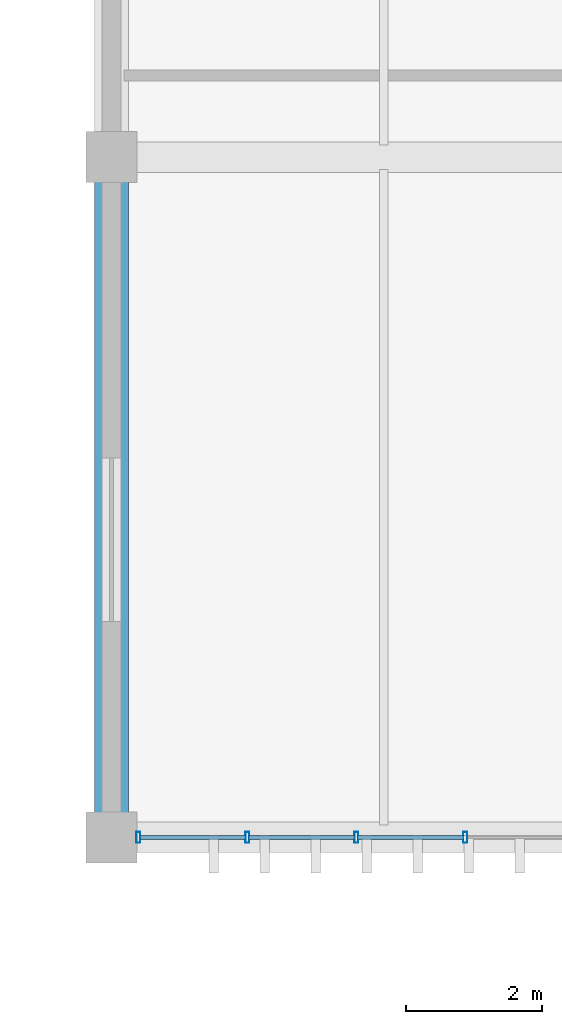
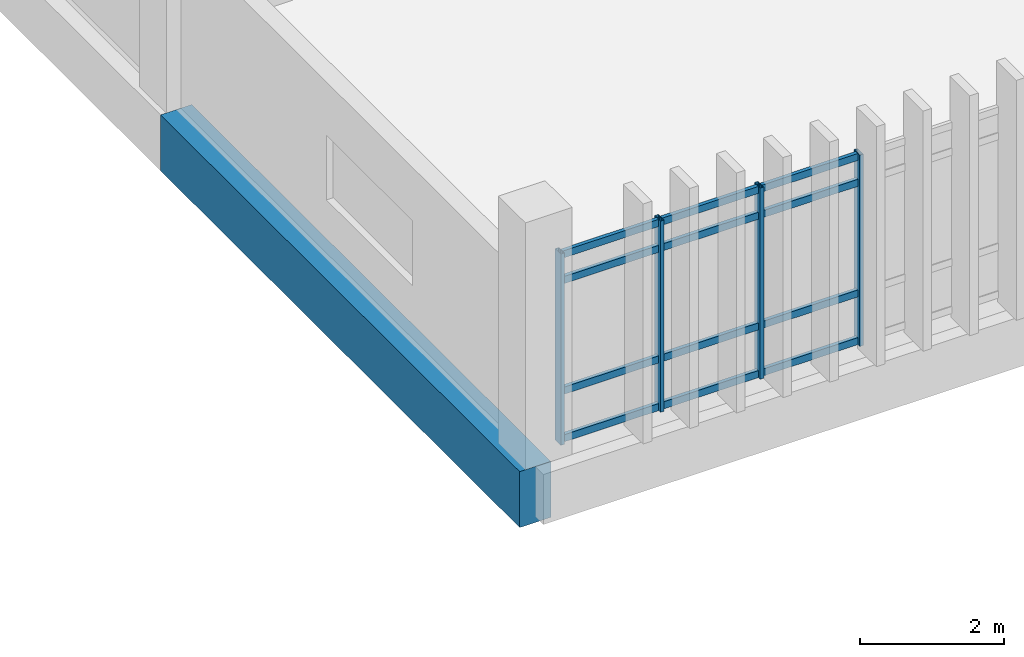
# One storey, part 22 of 111: 16 members, 1 beam, 1 element without a shape of its own.
"""IFC4 building model written with IfcOpenShell, lengths in metres."""

import ifcopenshell
import ifcopenshell.guid

model = None  # the IFC model being written
_history = None  # IfcOwnerHistory: only IFC2X3 demands one
_inside = {}  # id of a spatial element -> (the spatial element, [elements in it])
_under = {}  # id of a project, library or spatial element -> (it, [spatial elements below it])
_declared = {}  # id of a project -> (the project, [libraries it declares])
_typed = {}  # id of a type object -> (the type object, [elements of that type])
_made_of = {}  # id of a material, layer set ... -> (it, [elements and type objects made of it])


def new_model(schema):
    """Start an empty IFC model of exactly this schema.

    Asked for "IFC4X3", IfcOpenShell would pick the latest addendum, in which some entities
    have other attributes; the version numbers below select the first issue.
    IFC2X3 requires an IfcOwnerHistory on every rooted entity: one is made here for all.
    """
    global model, _history
    if schema == "IFC4X3":
        model = ifcopenshell.file(schema_version=(4, 3, 0, 0))
    else:
        model = ifcopenshell.file(schema=schema)
    _inside.clear()
    _under.clear()
    _declared.clear()
    _typed.clear()
    _made_of.clear()
    _history = None
    if model.schema == "IFC2X3":
        org = make("IfcOrganization", Name="unknown")
        user = make(
            "IfcPersonAndOrganization",
            ThePerson=make("IfcPerson", FamilyName="unknown"),
            TheOrganization=org,
        )
        app = make(
            "IfcApplication",
            ApplicationDeveloper=org,
            Version="unknown",
            ApplicationFullName="unknown",
            ApplicationIdentifier="unknown",
        )
        _history = make(
            "IfcOwnerHistory",
            OwningUser=user,
            OwningApplication=app,
            ChangeAction="ADDED",
            CreationDate=0,
        )
    return model


def make(cls, **values):
    """One entity of the class cls with the attributes given. An attribute that is None is left unset."""
    return model.create_entity(
        cls, **{name: value for name, value in values.items() if value is not None}
    )


def rooted(cls, **values):
    """An entity with a GlobalId (a new one), such as an element, a storey or a relation."""
    return make(cls, GlobalId=ifcopenshell.guid.new(), OwnerHistory=_history, **values)


def si_unit(unit_type, name, prefix=None):
    """IfcSIUnit, for example si_unit("LENGTHUNIT", "METRE", prefix="MILLI")."""
    return make("IfcSIUnit", UnitType=unit_type, Prefix=prefix, Name=name)


def assignment(units):
    """IfcUnitAssignment: the units of a project."""
    return None if units is None else make("IfcUnitAssignment", Units=units)


def point(xyz):
    """IfcCartesianPoint."""
    return None if xyz is None else make("IfcCartesianPoint", Coordinates=xyz)


def direction(xyz):
    """IfcDirection."""
    return None if xyz is None else make("IfcDirection", DirectionRatios=xyz)


def frame(location, z_axis=None, x_axis=None):
    """IfcAxis2Placement3D, a coordinate frame: its origin and axes. An axis left out is left unset."""
    return make(
        "IfcAxis2Placement3D",
        Location=point(location),
        Axis=direction(z_axis),
        RefDirection=direction(x_axis),
    )


def frame_2d(location, x_axis=None):
    """IfcAxis2Placement2D, a coordinate frame in the plane: its origin and x axis."""
    return make(
        "IfcAxis2Placement2D", Location=point(location), RefDirection=direction(x_axis)
    )


def origin():
    """The frame at (0, 0, 0) with its axes left unset."""
    return frame((0.0, 0.0, 0.0))


def origin_2d():
    """The frame at (0, 0) in the plane with its x axis left unset."""
    return frame_2d((0.0, 0.0))


def place(relative_to, where):
    """IfcLocalPlacement: puts the frame where relative to a parent placement (None: the world)."""
    return make(
        "IfcLocalPlacement", PlacementRelTo=relative_to, RelativePlacement=where
    )


def context(
    kind, dimensions, precision=None, world=None, true_north=None, identifier=None
):
    """IfcGeometricRepresentationContext, for example the 3D "Model" context."""
    return make(
        "IfcGeometricRepresentationContext",
        ContextIdentifier=identifier,
        ContextType=kind,
        CoordinateSpaceDimension=dimensions,
        Precision=precision,
        WorldCoordinateSystem=world,
        TrueNorth=true_north,
    )


def subcontext(parent, identifier, kind, view, scale=None):
    """IfcGeometricRepresentationSubContext, for example "Body" below "Model"."""
    return make(
        "IfcGeometricRepresentationSubContext",
        ContextIdentifier=identifier,
        ContextType=kind,
        ParentContext=parent,
        TargetScale=scale,
        TargetView=view,
    )


def project(units=None, contexts=None):
    """IfcProject with its units and contexts."""
    return rooted(
        "IfcProject",
        Name="project",
        RepresentationContexts=contexts,
        UnitsInContext=assignment(units),
    )


def spatial(cls, under=None, at=None, **own):
    """A site, building, storey or space (cls), placed at a placement, below another one or the project."""
    s = rooted(cls, ObjectPlacement=at, **own)
    if under is not None:
        _under.setdefault(under.id(), (under, []))[1].append(s)
    return s


def profile(cls, at=None, kind="AREA", **sizes):
    """A parametric profile (cls). Its sizes go by their IFC names, for example OverallWidth=200.0."""
    return make(cls, ProfileType=kind, Position=at, **sizes)


def rectangle(**sizes):
    """IfcRectangleProfileDef."""
    return profile("IfcRectangleProfileDef", **sizes)


def hollow_rectangle(**sizes):
    """IfcRectangleHollowProfileDef."""
    return profile("IfcRectangleHollowProfileDef", **sizes)


def extrude(swept, where, along, depth):
    """IfcExtrudedAreaSolid: the profile swept, set in the frame where, extruded along a direction by depth."""
    return make(
        "IfcExtrudedAreaSolid",
        SweptArea=swept,
        Position=where,
        ExtrudedDirection=direction(along),
        Depth=depth,
    )


def shape(context_of_items, identifier, shape_type, items):
    """IfcShapeRepresentation: the items that make up one representation, for example the "Body"."""
    return make(
        "IfcShapeRepresentation",
        ContextOfItems=context_of_items,
        RepresentationIdentifier=identifier,
        RepresentationType=shape_type,
        Items=items,
    )


def material(Name=None, Category=None):
    """IfcMaterial."""
    return make("IfcMaterial", Name=Name, Category=Category)


def layer(
    of_material, thickness, ventilated=None, Name=None, Category=None, Priority=None
):
    """IfcMaterialLayer: one layer of a wall or slab, of a material (None: an air gap)."""
    return make(
        "IfcMaterialLayer",
        Material=of_material,
        LayerThickness=thickness,
        IsVentilated=ventilated,
        Name=Name,
        Category=Category,
        Priority=Priority,
    )


def layer_set(layers, Name=None):
    """IfcMaterialLayerSet."""
    return make("IfcMaterialLayerSet", MaterialLayers=layers, LayerSetName=Name)


def material_profile(
    of_material, cross_section, Name=None, Category=None, Priority=None
):
    """IfcMaterialProfile: a cross section and its material."""
    return make(
        "IfcMaterialProfile",
        Name=Name,
        Material=of_material,
        Profile=cross_section,
        Priority=Priority,
        Category=Category,
    )


def profile_set(profiles, Name=None, composite=None):
    """IfcMaterialProfileSet."""
    return make(
        "IfcMaterialProfileSet",
        Name=Name,
        MaterialProfiles=profiles,
        CompositeProfile=composite,
    )


def made_of(thing, what):
    """Note that an element or type object is made of a material, layer set ...; save() writes the relation."""
    if what is not None:
        _made_of.setdefault(what.id(), (what, []))[1].append(thing)
    return thing


def type_object(cls, material=None, **own):
    """A type object (cls), such as IfcWallType, which elements share."""
    return made_of(rooted(cls, **own), material)


def element(
    cls,
    number,
    at=None,
    inside=None,
    cuts=None,
    type_object=None,
    material=None,
    context=None,
    identifier="Body",
    shape_type=None,
    held_by="IfcProductDefinitionShape",
    body=None,
    shapes=None,
    **own,
):
    """One element of the class cls, such as IfcWall. Its Tag is "e" and its number.

    at: its placement. inside: the storey or other place that contains it. cuts: it is an
    opening in that element (IfcRelVoidsElement). A single representation is given by context,
    identifier, shape_type and body (its items); several are given by shapes. held_by: the class
    of the entity that holds the representations. save() writes the other relations.
    """
    e = rooted(cls, Tag="e%d" % number, ObjectPlacement=at, **own)
    if body is not None:
        shapes = [shape(context, identifier, shape_type, body)]
    if shapes is not None:
        e.Representation = make(held_by, Representations=shapes)
    if inside is not None:
        _inside.setdefault(inside.id(), (inside, []))[1].append(e)
    if cuts is not None:
        rooted(
            "IfcRelVoidsElement", RelatingBuildingElement=cuts, RelatedOpeningElement=e
        )
    if type_object is not None:
        _typed.setdefault(type_object.id(), (type_object, []))[1].append(e)
    return made_of(e, material)


def aggregate(whole, parts):
    """IfcRelAggregates: a whole, such as a stair, and the parts it consists of."""
    return rooted("IfcRelAggregates", RelatingObject=whole, RelatedObjects=parts)


def save(model, path):
    """Write the relations noted so far, then the file.

    IfcRelAggregates (storeys below a building ...), IfcRelContainedInSpatialStructure (elements
    in a storey), IfcRelDefinesByType, IfcRelAssociatesMaterial and IfcRelDeclares: one each for
    every whole, place, type object, material and project.
    """
    for whole, parts in _under.values():
        aggregate(whole, parts)
    for where, things in _inside.values():
        rooted(
            "IfcRelContainedInSpatialStructure",
            RelatedElements=things,
            RelatingStructure=where,
        )
    for kind, things in _typed.values():
        rooted("IfcRelDefinesByType", RelatedObjects=things, RelatingType=kind)
    for what, things in _made_of.values():
        rooted("IfcRelAssociatesMaterial", RelatedObjects=things, RelatingMaterial=what)
    for by, libraries in _declared.values():
        rooted("IfcRelDeclares", RelatingContext=by, RelatedDefinitions=libraries)
    model.write(path)


model = new_model("IFC4")

# Units and contexts
model_context = context("Model", 3, precision=1e-05, world=origin(), true_north=direction((0.0, 1.0)))
body_context = subcontext(model_context, "Body", "Model", "MODEL_VIEW")
ifc_project = project(units=[si_unit("LENGTHUNIT", "METRE"), si_unit("AREAUNIT", "SQUARE_METRE"), si_unit("VOLUMEUNIT", "CUBIC_METRE"), si_unit("PLANEANGLEUNIT", "RADIAN"), si_unit("MASSUNIT", "GRAM", prefix="KILO")], contexts=[model_context])

# Site, building, storey
site_placement = place(None, origin())
site = spatial("IfcSite", under=ifc_project, at=site_placement, CompositionType="ELEMENT")
building_placement = place(site_placement, origin())
building = spatial("IfcBuilding", under=site, at=building_placement, Name="Mersad Railyard Sports Hall", CompositionType="ELEMENT")
storey_placement = place(building_placement, frame((0.0, 0.0, 9.0)))
storey = spatial("IfcBuildingStorey", under=building, at=storey_placement, Name="L02", CompositionType="ELEMENT", Elevation=9.0)

# Curtain wall, members
ifc_material_1 = material(Name="Aluminium 6063-T6", Category="aluminium")
ifc_layer = layer(ifc_material_1, 0.159912109375)
ifc_layer_set = layer_set([ifc_layer], Name="Aluminium 6063-T6")
curtain_wall_type = type_object("IfcCurtainWallType", Name="ARC-CW-CW54", PredefinedType="USERDEFINED", material=ifc_layer_set)
curtain_wall_placement = place(storey_placement, origin())
curtain_wall = element("IfcCurtainWall", 1, at=curtain_wall_placement, inside=storey, type_object=curtain_wall_type, Name="Curtain wall CW54-0143", ObjectType="CURTAIN WALL", PredefinedType="USERDEFINED")
ifc_material_profile_1 = material_profile(ifc_material_1, hollow_rectangle(XDim=0.06005859375, YDim=0.159912109375, WallThickness=0.00390625, at=origin_2d()), Name="AL MULLION 60x160x4")
ifc_profile_set_1 = profile_set([ifc_material_profile_1], Name="Aluminium 6063-T6")
member_type_1 = type_object("IfcMemberType", Name="ARC-CW-MUL01", PredefinedType="MULLION", material=ifc_profile_set_1)
member_1_placement = place(storey_placement, frame((48.19921875, 85.0, -0.02001953125), z_axis=(0.0, 0.0, 1.0), x_axis=(1.0, 0.0, 0.0)))
member_1 = element("IfcMember", 2, at=member_1_placement, type_object=member_type_1, Name="CW54 Mullion 5", PredefinedType="MULLION", context=body_context, shape_type="SweptSolid", body=[
    extrude(hollow_rectangle(XDim=0.06005859375, YDim=0.159912109375, WallThickness=0.00390625, at=origin_2d()), origin(), (0.0, 0.0, 1.0), 3.25),
])
member_2_placement = place(storey_placement, frame((46.597900390625, 85.0, -0.02001953125), z_axis=(0.0, 0.0, 1.0), x_axis=(1.0, 0.0, 0.0)))
member_2 = element("IfcMember", 3, at=member_2_placement, type_object=member_type_1, Name="CW54 Mullion 6", PredefinedType="MULLION", context=body_context, shape_type="SweptSolid", body=[
    extrude(hollow_rectangle(XDim=0.06005859375, YDim=0.159912109375, WallThickness=0.00390625, at=origin_2d()), origin(), (0.0, 0.0, 1.0), 3.25),
])
member_3_placement = place(storey_placement, frame((44.996337890625, 85.0, -0.02001953125), z_axis=(0.0, 0.0, 1.0), x_axis=(1.0, 0.0, 0.0)))
member_3 = element("IfcMember", 4, at=member_3_placement, type_object=member_type_1, Name="CW54 Mullion 7", PredefinedType="MULLION", context=body_context, shape_type="SweptSolid", body=[
    extrude(hollow_rectangle(XDim=0.06005859375, YDim=0.159912109375, WallThickness=0.00390625, at=origin_2d()), origin(), (0.0, 0.0, 1.0), 3.25),
])
member_4_placement = place(storey_placement, frame((43.39501953125, 85.0, -0.02001953125), z_axis=(0.0, 0.0, 1.0), x_axis=(1.0, 0.0, 0.0)))
member_4 = element("IfcMember", 5, at=member_4_placement, type_object=member_type_1, Name="CW54 Mullion 8", PredefinedType="MULLION", context=body_context, shape_type="SweptSolid", body=[
    extrude(hollow_rectangle(XDim=0.06005859375, YDim=0.159912109375, WallThickness=0.00390625, at=origin_2d()), origin(), (0.0, 0.0, 1.0), 3.25),
])
ifc_material_profile_2 = material_profile(ifc_material_1, hollow_rectangle(XDim=0.06005859375, YDim=0.1201171875, WallThickness=0.00390625, at=origin_2d()), Name="AL TRANSOM 60x120x4")
ifc_profile_set_2 = profile_set([ifc_material_profile_2], Name="Aluminium 6063-T6")
member_type_2 = type_object("IfcMemberType", Name="ARC-CW-TRN01", PredefinedType="USERDEFINED", material=ifc_profile_set_2)
member_5_placement = place(storey_placement, frame((48.17919921875, 85.0, 0.0400390625), z_axis=(-1.0, 0.0, 0.0), x_axis=(0.0, -1.0, 0.0)))
member_5 = element("IfcMember", 6, at=member_5_placement, type_object=member_type_2, Name="CW54 Transom 1-5", ObjectType="TRANSOM", PredefinedType="USERDEFINED", context=body_context, shape_type="SweptSolid", body=[
    extrude(hollow_rectangle(XDim=0.06005859375, YDim=0.1201171875, WallThickness=0.00390625, at=origin_2d()), origin(), (0.0, 0.0, 1.0), 1.561279296875),
])
member_6_placement = place(storey_placement, frame((46.577880859375, 85.0, 0.0400390625), z_axis=(-1.0, 0.0, 0.0), x_axis=(0.0, -1.0, 0.0)))
member_6 = element("IfcMember", 7, at=member_6_placement, type_object=member_type_2, Name="CW54 Transom 1-6", ObjectType="TRANSOM", PredefinedType="USERDEFINED", context=body_context, shape_type="SweptSolid", body=[
    extrude(hollow_rectangle(XDim=0.06005859375, YDim=0.1201171875, WallThickness=0.00390625, at=origin_2d()), origin(), (0.0, 0.0, 1.0), 1.5615234375),
])
member_7_placement = place(storey_placement, frame((44.976318359375, 85.0, 0.0400390625), z_axis=(-1.0, 0.0, 0.0), x_axis=(0.0, -1.0, 0.0)))
member_7 = element("IfcMember", 8, at=member_7_placement, type_object=member_type_2, Name="CW54 Transom 1-7", ObjectType="TRANSOM", PredefinedType="USERDEFINED", context=body_context, shape_type="SweptSolid", body=[
    extrude(hollow_rectangle(XDim=0.06005859375, YDim=0.1201171875, WallThickness=0.00390625, at=origin_2d()), origin(), (0.0, 0.0, 1.0), 1.561279296875),
])
member_8_placement = place(storey_placement, frame((48.17919921875, 85.0, 0.85009765625), z_axis=(-1.0, 0.0, 0.0), x_axis=(0.0, -1.0, 0.0)))
member_8 = element("IfcMember", 9, at=member_8_placement, type_object=member_type_2, Name="CW54 Transom 2-5", ObjectType="TRANSOM", PredefinedType="USERDEFINED", context=body_context, shape_type="SweptSolid", body=[
    extrude(hollow_rectangle(XDim=0.06005859375, YDim=0.1201171875, WallThickness=0.00390625, at=origin_2d()), origin(), (0.0, 0.0, 1.0), 1.561279296875),
])
member_9_placement = place(storey_placement, frame((46.577880859375, 85.0, 0.85009765625), z_axis=(-1.0, 0.0, 0.0), x_axis=(0.0, -1.0, 0.0)))
member_9 = element("IfcMember", 10, at=member_9_placement, type_object=member_type_2, Name="CW54 Transom 2-6", ObjectType="TRANSOM", PredefinedType="USERDEFINED", context=body_context, shape_type="SweptSolid", body=[
    extrude(hollow_rectangle(XDim=0.06005859375, YDim=0.1201171875, WallThickness=0.00390625, at=origin_2d()), origin(), (0.0, 0.0, 1.0), 1.5615234375),
])
member_10_placement = place(storey_placement, frame((44.976318359375, 85.0, 0.85009765625), z_axis=(-1.0, 0.0, 0.0), x_axis=(0.0, -1.0, 0.0)))
member_10 = element("IfcMember", 11, at=member_10_placement, type_object=member_type_2, Name="CW54 Transom 2-7", ObjectType="TRANSOM", PredefinedType="USERDEFINED", context=body_context, shape_type="SweptSolid", body=[
    extrude(hollow_rectangle(XDim=0.06005859375, YDim=0.1201171875, WallThickness=0.00390625, at=origin_2d()), origin(), (0.0, 0.0, 1.0), 1.561279296875),
])
member_11_placement = place(storey_placement, frame((48.17919921875, 85.0, 2.72998046875), z_axis=(-1.0, 0.0, 0.0), x_axis=(0.0, -1.0, 0.0)))
member_11 = element("IfcMember", 12, at=member_11_placement, type_object=member_type_2, Name="CW54 Transom 3-5", ObjectType="TRANSOM", PredefinedType="USERDEFINED", context=body_context, shape_type="SweptSolid", body=[
    extrude(hollow_rectangle(XDim=0.06005859375, YDim=0.1201171875, WallThickness=0.00390625, at=origin_2d()), origin(), (0.0, 0.0, 1.0), 1.561279296875),
])
member_12_placement = place(storey_placement, frame((46.577880859375, 85.0, 2.72998046875), z_axis=(-1.0, 0.0, 0.0), x_axis=(0.0, -1.0, 0.0)))
member_12 = element("IfcMember", 13, at=member_12_placement, type_object=member_type_2, Name="CW54 Transom 3-6", ObjectType="TRANSOM", PredefinedType="USERDEFINED", context=body_context, shape_type="SweptSolid", body=[
    extrude(hollow_rectangle(XDim=0.06005859375, YDim=0.1201171875, WallThickness=0.00390625, at=origin_2d()), origin(), (0.0, 0.0, 1.0), 1.5615234375),
])
member_13_placement = place(storey_placement, frame((44.976318359375, 85.0, 2.72998046875), z_axis=(-1.0, 0.0, 0.0), x_axis=(0.0, -1.0, 0.0)))
member_13 = element("IfcMember", 14, at=member_13_placement, type_object=member_type_2, Name="CW54 Transom 3-7", ObjectType="TRANSOM", PredefinedType="USERDEFINED", context=body_context, shape_type="SweptSolid", body=[
    extrude(hollow_rectangle(XDim=0.06005859375, YDim=0.1201171875, WallThickness=0.00390625, at=origin_2d()), origin(), (0.0, 0.0, 1.0), 1.561279296875),
])
member_14_placement = place(storey_placement, frame((48.17919921875, 85.0, 3.169921875), z_axis=(-1.0, 0.0, 0.0), x_axis=(0.0, -1.0, 0.0)))
member_14 = element("IfcMember", 15, at=member_14_placement, type_object=member_type_2, Name="CW54 Transom 4-5", ObjectType="TRANSOM", PredefinedType="USERDEFINED", context=body_context, shape_type="SweptSolid", body=[
    extrude(hollow_rectangle(XDim=0.06005859375, YDim=0.1201171875, WallThickness=0.00390625, at=origin_2d()), origin(), (0.0, 0.0, 1.0), 1.561279296875),
])
member_15_placement = place(storey_placement, frame((46.577880859375, 85.0, 3.169921875), z_axis=(-1.0, 0.0, 0.0), x_axis=(0.0, -1.0, 0.0)))
member_15 = element("IfcMember", 16, at=member_15_placement, type_object=member_type_2, Name="CW54 Transom 4-6", ObjectType="TRANSOM", PredefinedType="USERDEFINED", context=body_context, shape_type="SweptSolid", body=[
    extrude(hollow_rectangle(XDim=0.06005859375, YDim=0.1201171875, WallThickness=0.00390625, at=origin_2d()), origin(), (0.0, 0.0, 1.0), 1.5615234375),
])
member_16_placement = place(storey_placement, frame((44.976318359375, 85.0, 3.169921875), z_axis=(-1.0, 0.0, 0.0), x_axis=(0.0, -1.0, 0.0)))
member_16 = element("IfcMember", 17, at=member_16_placement, type_object=member_type_2, Name="CW54 Transom 4-7", ObjectType="TRANSOM", PredefinedType="USERDEFINED", context=body_context, shape_type="SweptSolid", body=[
    extrude(hollow_rectangle(XDim=0.06005859375, YDim=0.1201171875, WallThickness=0.00390625, at=origin_2d()), origin(), (0.0, 0.0, 1.0), 1.561279296875),
])
aggregate(curtain_wall, [member_1, member_2, member_3, member_4, member_5, member_6, member_7, member_8, member_9, member_10, member_11, member_12, member_13, member_14, member_15, member_16])

# Beam
ifc_material_2 = material(Name="Concrete C50/60", Category="concrete")
ifc_material_profile_3 = material_profile(ifc_material_2, rectangle(XDim=0.5, YDim=0.949951171875, at=origin_2d()), Name="RC 500x950")
ifc_profile_set_3 = profile_set([ifc_material_profile_3], Name="Concrete C50/60")
beam_type = type_object("IfcBeamType", Name="STR-BM-B03", PredefinedType="BEAM", material=ifc_profile_set_3)
beam_placement = place(storey_placement, frame((43.0, 85.0, -0.77490234375), z_axis=(0.0, 1.0, 0.0), x_axis=(-1.0, 0.0, 0.0)))
element("IfcBeam", 18, at=beam_placement, inside=storey, type_object=beam_type, Name="Beam B03-1097", PredefinedType="BEAM", context=body_context, shape_type="SweptSolid", body=[
    extrude(rectangle(XDim=0.5, YDim=0.949951171875, at=origin_2d()), origin(), (0.0, 0.0, 1.0), 10.0),
])

save(model, "model.ifc")
